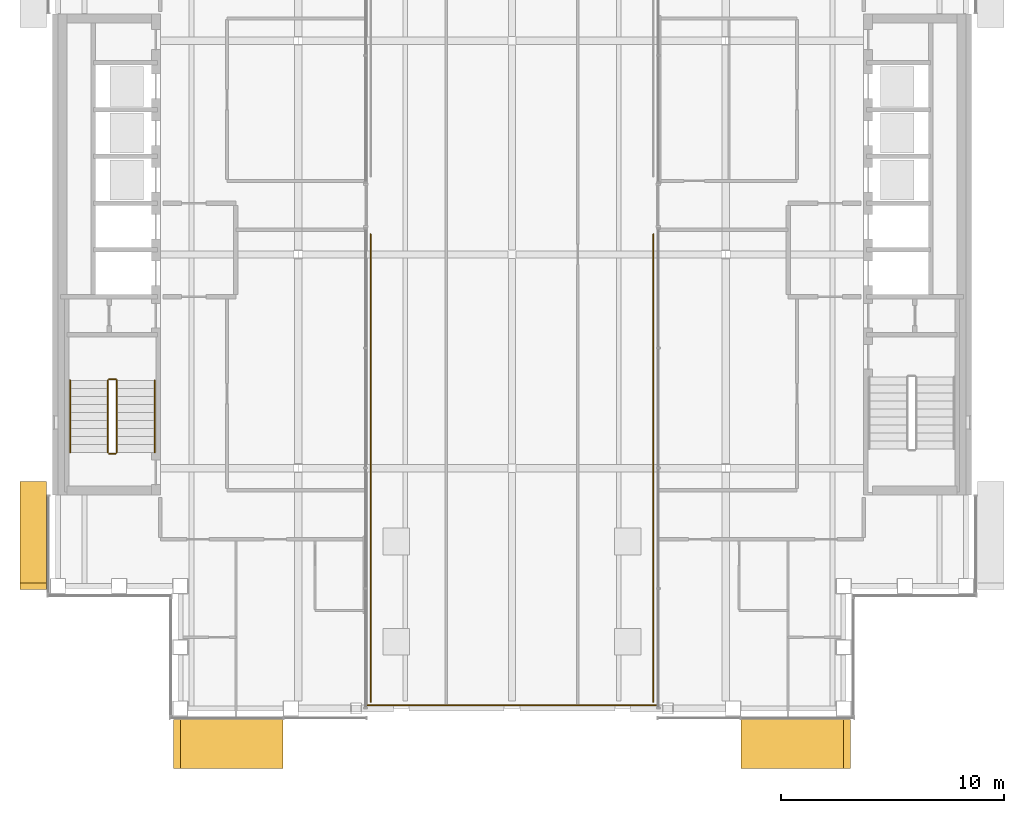
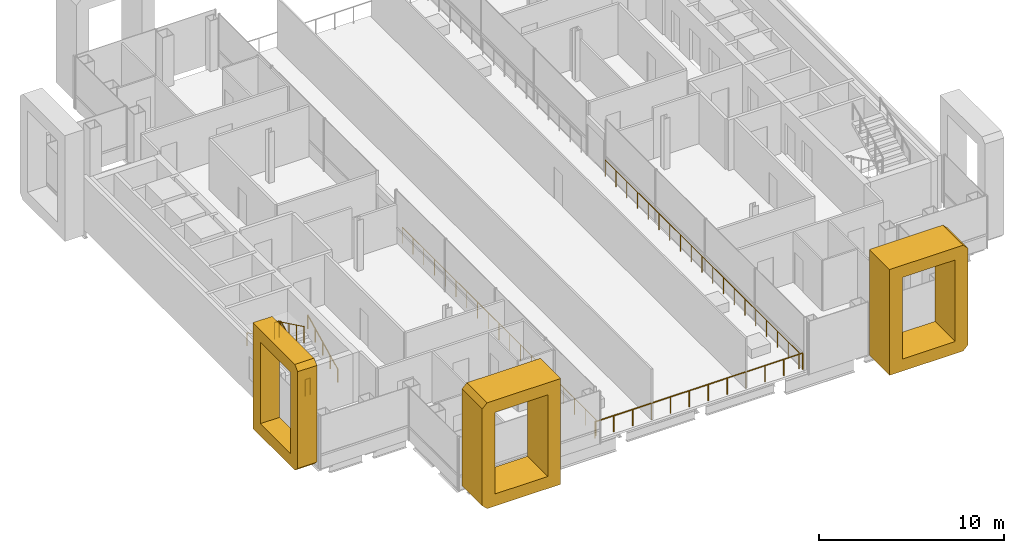
# One storey, part 14 of 17: 9 railings, 3 coverings.
"""IFC4 building model written with IfcOpenShell, lengths in metres."""

from ifc_helpers import new_model, si_unit, direction, frame, origin, origin_2d, place, context, subcontext, project, spatial, polyline, circle, outline, extrude, material, type_object, element, save


model = new_model("IFC4")

# Units and contexts
model_context = context("Model", 3, precision=1e-05, world=origin(), true_north=direction((0.0, 1.0)))
body_context = subcontext(model_context, "Body", "Model", "MODEL_VIEW")
ifc_project = project(units=[si_unit("LENGTHUNIT", "METRE"), si_unit("AREAUNIT", "SQUARE_METRE"), si_unit("VOLUMEUNIT", "CUBIC_METRE"), si_unit("PLANEANGLEUNIT", "RADIAN"), si_unit("MASSUNIT", "GRAM", prefix="KILO")], contexts=[model_context])

# Site, building, storey
site_placement = place(None, origin())
site = spatial("IfcSite", under=ifc_project, at=site_placement, CompositionType="ELEMENT")
building_placement = place(site_placement, origin())
building = spatial("IfcBuilding", under=site, at=building_placement, Name="Cobrizo Arcos Hotel Tower", CompositionType="ELEMENT")
storey_placement = place(building_placement, frame((0.0, 0.0, 219.0)))
storey = spatial("IfcBuildingStorey", under=building, at=storey_placement, Name="L57", CompositionType="ELEMENT", Elevation=219.0)

# Coverings
ifc_material_1 = material(Name="Aluminium 6063-T6 anodised bronze", Category="aluminium")
covering_type_1 = type_object("IfcCoveringType", Name="FIN-F 1200", PredefinedType="CLADDING", material=ifc_material_1)
covering_1_placement = place(storey_placement, frame((-20.89990234375, -10.191650390625, 0.0), z_axis=(-1.0, 0.0, 0.0), x_axis=(0.0, -1.0, 0.0)))
element("IfcCovering", 1, at=covering_1_placement, inside=storey, type_object=covering_type_1, Name="Fin frame 358", PredefinedType="CLADDING", context=body_context, shape_type="SweptSolid", body=[
    extrude(outline(polyline([(0.0, 7.0), (0.0, 0.0), (4.558349609375, 0.0), (4.8583984375, 0.300048828125), (4.8583984375, 6.699951171875), (4.558349609375, 7.0), (0.0, 7.0)]), holes=[polyline([(4.058349609375, 0.800048828125), (0.800048828125, 0.800048828125), (0.800048828125, 6.199951171875), (4.058349609375, 6.199951171875), (4.058349609375, 0.800048828125)])]), origin(), (0.0, 0.0, 1.0), 1.2001953125),
])
covering_type_2 = type_object("IfcCoveringType", Name="FIN-F 2200", PredefinedType="CLADDING", material=ifc_material_1)
covering_2_placement = place(storey_placement, frame((-15.199951171875, -20.89990234375, 0.0), z_axis=(0.0, -1.0, 0.0), x_axis=(1.0, 0.0, 0.0)))
element("IfcCovering", 2, at=covering_2_placement, inside=storey, type_object=covering_type_2, Name="Fin frame 339", PredefinedType="CLADDING", context=body_context, shape_type="SweptSolid", body=[
    extrude(outline(polyline([(0.0, 0.300048828125), (0.300048828125, 0.0), (4.908203125, 0.0), (4.908203125, 7.0), (0.300048828125, 7.0), (0.0, 6.699951171875), (0.0, 0.300048828125)]), holes=[polyline([(4.1083984375, 0.800048828125), (0.800048828125, 0.800048828125), (0.800048828125, 6.199951171875), (4.1083984375, 6.199951171875), (4.1083984375, 0.800048828125)])]), origin(), (0.0, 0.0, 1.0), 2.2001953125),
])
covering_3_placement = place(storey_placement, frame((10.291748046875, -20.89990234375, 0.0), z_axis=(0.0, -1.0, 0.0), x_axis=(1.0, 0.0, 0.0)))
element("IfcCovering", 3, at=covering_3_placement, inside=storey, type_object=covering_type_2, Name="Fin frame 340", PredefinedType="CLADDING", context=body_context, shape_type="SweptSolid", body=[
    extrude(outline(polyline([(0.0, 7.0), (0.0, 0.0), (4.6083984375, 0.0), (4.908203125, 0.300048828125), (4.908203125, 6.699951171875), (4.6083984375, 7.0), (0.0, 7.0)]), holes=[polyline([(4.1083984375, 0.800048828125), (0.800048828125, 0.800048828125), (0.800048828125, 6.199951171875), (4.1083984375, 6.199951171875), (4.1083984375, 0.800048828125)])]), origin(), (0.0, 0.0, 1.0), 2.2001953125),
])

# Railings
ifc_material_2 = material(Name="Stainless steel railing", Category="steel")
railing_type_1 = type_object("IfcRailingType", Name="Garden deck guard 1100", PredefinedType="GUARDRAIL", material=ifc_material_2)
railing_1_placement = place(storey_placement, frame((-6.5, -20.25, 0.0)))
element("IfcRailing", 4, at=railing_1_placement, inside=storey, type_object=railing_type_1, Name="Garden deck south guard", PredefinedType="GUARDRAIL", context=body_context, shape_type="SweptSolid", body=[
    extrude(circle(Radius=0.02392578125, at=origin_2d()), frame((0.0, 0.0, 1.076171875), z_axis=(1.0, 0.0, 0.0), x_axis=(0.0, 1.0, 0.0)), (0.0, 0.0, 1.0), 13.0),
    extrude(circle(Radius=0.02099609375, at=origin_2d()), origin(), (0.0, 0.0, 1.0), 1.052001953125),
    extrude(circle(Radius=0.02099609375, at=origin_2d()), frame((1.181884765625, 0.0, 0.0)), (0.0, 0.0, 1.0), 1.052001953125),
    extrude(circle(Radius=0.02099609375, at=origin_2d()), frame((2.363525390625, 0.0, 0.0)), (0.0, 0.0, 1.0), 1.052001953125),
    extrude(circle(Radius=0.02099609375, at=origin_2d()), frame((3.54541015625, 0.0, 0.0)), (0.0, 0.0, 1.0), 1.052001953125),
    extrude(circle(Radius=0.02099609375, at=origin_2d()), frame((4.727294921875, 0.0, 0.0)), (0.0, 0.0, 1.0), 1.052001953125),
    extrude(circle(Radius=0.02099609375, at=origin_2d()), frame((5.9091796875, 0.0, 0.0)), (0.0, 0.0, 1.0), 1.052001953125),
    extrude(circle(Radius=0.02099609375, at=origin_2d()), frame((7.0908203125, 0.0, 0.0)), (0.0, 0.0, 1.0), 1.052001953125),
    extrude(circle(Radius=0.02099609375, at=origin_2d()), frame((8.272705078125, 0.0, 0.0)), (0.0, 0.0, 1.0), 1.052001953125),
    extrude(circle(Radius=0.02099609375, at=origin_2d()), frame((9.45458984375, 0.0, 0.0)), (0.0, 0.0, 1.0), 1.052001953125),
    extrude(circle(Radius=0.02099609375, at=origin_2d()), frame((10.636474609375, 0.0, 0.0)), (0.0, 0.0, 1.0), 1.052001953125),
    extrude(circle(Radius=0.02099609375, at=origin_2d()), frame((11.818115234375, 0.0, 0.0)), (0.0, 0.0, 1.0), 1.052001953125),
    extrude(circle(Radius=0.02099609375, at=origin_2d()), frame((13.0, 0.0, 0.0)), (0.0, 0.0, 1.0), 1.052001953125),
])
railing_2_placement = place(storey_placement, frame((6.35009765625, -20.10009765625, 0.0)))
element("IfcRailing", 5, at=railing_2_placement, inside=storey, type_object=railing_type_1, Name="Garden deck east guard", PredefinedType="GUARDRAIL", context=body_context, shape_type="SweptSolid", body=[
    extrude(circle(Radius=0.02392578125, at=origin_2d()), frame((0.0, 0.0, 1.076171875), z_axis=(0.0, 1.0, 0.0), x_axis=(-1.0, 0.0, 0.0)), (0.0, 0.0, 1.0), 21.0),
    extrude(circle(Radius=0.02099609375, at=origin_2d()), origin(), (0.0, 0.0, 1.0), 1.052001953125),
    extrude(circle(Radius=0.02099609375, at=origin_2d()), frame((0.0, 1.166748046875, 0.0)), (0.0, 0.0, 1.0), 1.052001953125),
    extrude(circle(Radius=0.02099609375, at=origin_2d()), frame((0.0, 2.333251953125, 0.0)), (0.0, 0.0, 1.0), 1.052001953125),
    extrude(circle(Radius=0.02099609375, at=origin_2d()), frame((0.0, 3.5, 0.0)), (0.0, 0.0, 1.0), 1.052001953125),
    extrude(circle(Radius=0.02099609375, at=origin_2d()), frame((0.0, 4.666748046875, 0.0)), (0.0, 0.0, 1.0), 1.052001953125),
    extrude(circle(Radius=0.02099609375, at=origin_2d()), frame((0.0, 5.833251953125, 0.0)), (0.0, 0.0, 1.0), 1.052001953125),
    extrude(circle(Radius=0.02099609375, at=origin_2d()), frame((0.0, 7.0, 0.0)), (0.0, 0.0, 1.0), 1.052001953125),
    extrude(circle(Radius=0.02099609375, at=origin_2d()), frame((0.0, 8.166748046875, 0.0)), (0.0, 0.0, 1.0), 1.052001953125),
    extrude(circle(Radius=0.02099609375, at=origin_2d()), frame((0.0, 9.333251953125, 0.0)), (0.0, 0.0, 1.0), 1.052001953125),
    extrude(circle(Radius=0.02099609375, at=origin_2d()), frame((0.0, 10.5, 0.0)), (0.0, 0.0, 1.0), 1.052001953125),
    extrude(circle(Radius=0.02099609375, at=origin_2d()), frame((0.0, 11.666748046875, 0.0)), (0.0, 0.0, 1.0), 1.052001953125),
    extrude(circle(Radius=0.02099609375, at=origin_2d()), frame((0.0, 12.833251953125, 0.0)), (0.0, 0.0, 1.0), 1.052001953125),
    extrude(circle(Radius=0.02099609375, at=origin_2d()), frame((0.0, 14.0, 0.0)), (0.0, 0.0, 1.0), 1.052001953125),
    extrude(circle(Radius=0.02099609375, at=origin_2d()), frame((0.0, 15.166748046875, 0.0)), (0.0, 0.0, 1.0), 1.052001953125),
    extrude(circle(Radius=0.02099609375, at=origin_2d()), frame((0.0, 16.333251953125, 0.0)), (0.0, 0.0, 1.0), 1.052001953125),
    extrude(circle(Radius=0.02099609375, at=origin_2d()), frame((0.0, 17.5, 0.0)), (0.0, 0.0, 1.0), 1.052001953125),
    extrude(circle(Radius=0.02099609375, at=origin_2d()), frame((0.0, 18.666748046875, 0.0)), (0.0, 0.0, 1.0), 1.052001953125),
    extrude(circle(Radius=0.02099609375, at=origin_2d()), frame((0.0, 19.833251953125, 0.0)), (0.0, 0.0, 1.0), 1.052001953125),
    extrude(circle(Radius=0.02099609375, at=origin_2d()), frame((0.0, 21.0, 0.0)), (0.0, 0.0, 1.0), 1.052001953125),
])
railing_3_placement = place(storey_placement, frame((-6.35009765625, -20.10009765625, 0.0)))
element("IfcRailing", 6, at=railing_3_placement, inside=storey, type_object=railing_type_1, Name="Garden deck west guard", PredefinedType="GUARDRAIL", context=body_context, shape_type="SweptSolid", body=[
    extrude(circle(Radius=0.02392578125, at=origin_2d()), frame((0.0, 0.0, 1.076171875), z_axis=(0.0, 1.0, 0.0), x_axis=(-1.0, 0.0, 0.0)), (0.0, 0.0, 1.0), 21.0),
    extrude(circle(Radius=0.02099609375, at=origin_2d()), origin(), (0.0, 0.0, 1.0), 1.052001953125),
    extrude(circle(Radius=0.02099609375, at=origin_2d()), frame((0.0, 1.166748046875, 0.0)), (0.0, 0.0, 1.0), 1.052001953125),
    extrude(circle(Radius=0.02099609375, at=origin_2d()), frame((0.0, 2.333251953125, 0.0)), (0.0, 0.0, 1.0), 1.052001953125),
    extrude(circle(Radius=0.02099609375, at=origin_2d()), frame((0.0, 3.5, 0.0)), (0.0, 0.0, 1.0), 1.052001953125),
    extrude(circle(Radius=0.02099609375, at=origin_2d()), frame((0.0, 4.666748046875, 0.0)), (0.0, 0.0, 1.0), 1.052001953125),
    extrude(circle(Radius=0.02099609375, at=origin_2d()), frame((0.0, 5.833251953125, 0.0)), (0.0, 0.0, 1.0), 1.052001953125),
    extrude(circle(Radius=0.02099609375, at=origin_2d()), frame((0.0, 7.0, 0.0)), (0.0, 0.0, 1.0), 1.052001953125),
    extrude(circle(Radius=0.02099609375, at=origin_2d()), frame((0.0, 8.166748046875, 0.0)), (0.0, 0.0, 1.0), 1.052001953125),
    extrude(circle(Radius=0.02099609375, at=origin_2d()), frame((0.0, 9.333251953125, 0.0)), (0.0, 0.0, 1.0), 1.052001953125),
    extrude(circle(Radius=0.02099609375, at=origin_2d()), frame((0.0, 10.5, 0.0)), (0.0, 0.0, 1.0), 1.052001953125),
    extrude(circle(Radius=0.02099609375, at=origin_2d()), frame((0.0, 11.666748046875, 0.0)), (0.0, 0.0, 1.0), 1.052001953125),
    extrude(circle(Radius=0.02099609375, at=origin_2d()), frame((0.0, 12.833251953125, 0.0)), (0.0, 0.0, 1.0), 1.052001953125),
    extrude(circle(Radius=0.02099609375, at=origin_2d()), frame((0.0, 14.0, 0.0)), (0.0, 0.0, 1.0), 1.052001953125),
    extrude(circle(Radius=0.02099609375, at=origin_2d()), frame((0.0, 15.166748046875, 0.0)), (0.0, 0.0, 1.0), 1.052001953125),
    extrude(circle(Radius=0.02099609375, at=origin_2d()), frame((0.0, 16.333251953125, 0.0)), (0.0, 0.0, 1.0), 1.052001953125),
    extrude(circle(Radius=0.02099609375, at=origin_2d()), frame((0.0, 17.5, 0.0)), (0.0, 0.0, 1.0), 1.052001953125),
    extrude(circle(Radius=0.02099609375, at=origin_2d()), frame((0.0, 18.666748046875, 0.0)), (0.0, 0.0, 1.0), 1.052001953125),
    extrude(circle(Radius=0.02099609375, at=origin_2d()), frame((0.0, 19.833251953125, 0.0)), (0.0, 0.0, 1.0), 1.052001953125),
    extrude(circle(Radius=0.02099609375, at=origin_2d()), frame((0.0, 21.0, 0.0)), (0.0, 0.0, 1.0), 1.052001953125),
])
railing_type_2 = type_object("IfcRailingType", Name="Stair guard 1100", PredefinedType="GUARDRAIL", material=ifc_material_2)
railing_4_placement = place(storey_placement, frame((-17.75, -8.89990234375, 0.175048828125)))
element("IfcRailing", 7, at=railing_4_placement, inside=storey, type_object=railing_type_2, Name="L57 ST-W stair guard 1", PredefinedType="GUARDRAIL", context=body_context, shape_type="SweptSolid", body=[
    extrude(circle(Radius=0.02392578125, at=origin_2d()), frame((0.0, 0.0, 1.076171875), z_axis=(0.0, 0.899372665325, 0.437182809435), x_axis=(-1.0, 0.0, 0.0)), (0.0, 0.0, 1.0), 3.6025390625),
    extrude(circle(Radius=0.02099609375, at=origin_2d()), origin(), (0.0, 0.0, 1.0), 1.052001953125),
    extrude(circle(Radius=0.02099609375, at=origin_2d()), frame((0.0, 0.81005859375, 0.393798828125)), (0.0, 0.0, 1.0), 1.052001953125),
    extrude(circle(Radius=0.02099609375, at=origin_2d()), frame((0.0, 1.6201171875, 0.78759765625)), (0.0, 0.0, 1.0), 1.052001953125),
    extrude(circle(Radius=0.02099609375, at=origin_2d()), frame((0.0, 2.429931640625, 1.18115234375)), (0.0, 0.0, 1.0), 1.052001953125),
    extrude(circle(Radius=0.02099609375, at=origin_2d()), frame((0.0, 3.239990234375, 1.574951171875)), (0.0, 0.0, 1.0), 1.052001953125),
])
railing_5_placement = place(storey_placement, frame((-17.800048828125, -5.610107421875, 1.75)))
element("IfcRailing", 8, at=railing_5_placement, inside=storey, type_object=railing_type_2, Name="L57 ST-W stair guard 2", PredefinedType="GUARDRAIL", context=body_context, shape_type="SweptSolid", body=[
    extrude(circle(Radius=0.02392578125, at=origin_2d()), frame((0.0, 0.0, 1.076171875), z_axis=(-1.0, 0.0, 0.0), x_axis=(0.0, -1.0, 0.0)), (0.0, 0.0, 1.0), 0.300048828125),
    extrude(circle(Radius=0.02099609375, at=origin_2d()), origin(), (0.0, 0.0, 1.0), 1.052001953125),
    extrude(circle(Radius=0.02099609375, at=origin_2d()), frame((-0.300048828125, 0.0, 0.0)), (0.0, 0.0, 1.0), 1.052001953125),
])
railing_6_placement = place(storey_placement, frame((-18.14990234375, -5.659912109375, 1.925048828125)))
element("IfcRailing", 9, at=railing_6_placement, inside=storey, type_object=railing_type_2, Name="L57 ST-W stair guard 3", PredefinedType="GUARDRAIL", context=body_context, shape_type="SweptSolid", body=[
    extrude(circle(Radius=0.02392578125, at=origin_2d()), frame((0.0, 0.0, 1.076171875), z_axis=(0.0, -0.899372665325, 0.437182809435), x_axis=(1.0, 0.0, 0.0)), (0.0, 0.0, 1.0), 3.6025390625),
    extrude(circle(Radius=0.02099609375, at=origin_2d()), origin(), (0.0, 0.0, 1.0), 1.052001953125),
    extrude(circle(Radius=0.02099609375, at=origin_2d()), frame((0.0, -0.81005859375, 0.393798828125)), (0.0, 0.0, 1.0), 1.052001953125),
    extrude(circle(Radius=0.02099609375, at=origin_2d()), frame((0.0, -1.6201171875, 0.78759765625)), (0.0, 0.0, 1.0), 1.052001953125),
    extrude(circle(Radius=0.02099609375, at=origin_2d()), frame((0.0, -2.429931640625, 1.18115234375)), (0.0, 0.0, 1.0), 1.052001953125),
    extrude(circle(Radius=0.02099609375, at=origin_2d()), frame((0.0, -3.239990234375, 1.574951171875)), (0.0, 0.0, 1.0), 1.052001953125),
])
railing_7_placement = place(storey_placement, frame((-17.800048828125, -8.949951171875, 0.0)))
element("IfcRailing", 10, at=railing_7_placement, inside=storey, type_object=railing_type_2, Name="L57 ST-W stair guard 4", PredefinedType="GUARDRAIL", context=body_context, shape_type="SweptSolid", body=[
    extrude(circle(Radius=0.02392578125, at=origin_2d()), frame((0.0, 0.0, 1.076171875), z_axis=(-1.0, 0.0, 0.0), x_axis=(0.0, -1.0, 0.0)), (0.0, 0.0, 1.0), 0.300048828125),
    extrude(circle(Radius=0.02099609375, at=origin_2d()), origin(), (0.0, 0.0, 1.0), 1.052001953125),
    extrude(circle(Radius=0.02099609375, at=origin_2d()), frame((-0.300048828125, 0.0, 0.0)), (0.0, 0.0, 1.0), 1.052001953125),
])
railing_type_3 = type_object("IfcRailingType", Name="Stair handrail", PredefinedType="HANDRAIL", material=ifc_material_2)
railing_8_placement = place(storey_placement, frame((-16.050048828125, -8.89990234375, 0.175048828125)))
element("IfcRailing", 11, at=railing_8_placement, inside=storey, type_object=railing_type_3, Name="L57 ST-W stair handrail 1", PredefinedType="HANDRAIL", context=body_context, shape_type="SweptSolid", body=[
    extrude(circle(Radius=0.02392578125, at=origin_2d()), frame((0.0, 0.0, 0.8759765625), z_axis=(0.0, 0.899372665325, 0.437182809435), x_axis=(-1.0, 0.0, 0.0)), (0.0, 0.0, 1.0), 3.6025390625),
    extrude(circle(Radius=0.02099609375, at=origin_2d()), origin(), (0.0, 0.0, 1.0), 0.851806640625),
    extrude(circle(Radius=0.02099609375, at=origin_2d()), frame((0.0, 0.81005859375, 0.393798828125)), (0.0, 0.0, 1.0), 0.851806640625),
    extrude(circle(Radius=0.02099609375, at=origin_2d()), frame((0.0, 1.6201171875, 0.78759765625)), (0.0, 0.0, 1.0), 0.851806640625),
    extrude(circle(Radius=0.02099609375, at=origin_2d()), frame((0.0, 2.429931640625, 1.18115234375)), (0.0, 0.0, 1.0), 0.851806640625),
    extrude(circle(Radius=0.02099609375, at=origin_2d()), frame((0.0, 3.239990234375, 1.574951171875)), (0.0, 0.0, 1.0), 0.851806640625),
])
railing_9_placement = place(storey_placement, frame((-19.85009765625, -5.659912109375, 1.925048828125)))
element("IfcRailing", 12, at=railing_9_placement, inside=storey, type_object=railing_type_3, Name="L57 ST-W stair handrail 2", PredefinedType="HANDRAIL", context=body_context, shape_type="SweptSolid", body=[
    extrude(circle(Radius=0.02392578125, at=origin_2d()), frame((0.0, 0.0, 0.8759765625), z_axis=(0.0, -0.899372665325, 0.437182809435), x_axis=(1.0, 0.0, 0.0)), (0.0, 0.0, 1.0), 3.6025390625),
    extrude(circle(Radius=0.02099609375, at=origin_2d()), origin(), (0.0, 0.0, 1.0), 0.851806640625),
    extrude(circle(Radius=0.02099609375, at=origin_2d()), frame((0.0, -0.81005859375, 0.393798828125)), (0.0, 0.0, 1.0), 0.851806640625),
    extrude(circle(Radius=0.02099609375, at=origin_2d()), frame((0.0, -1.6201171875, 0.78759765625)), (0.0, 0.0, 1.0), 0.851806640625),
    extrude(circle(Radius=0.02099609375, at=origin_2d()), frame((0.0, -2.429931640625, 1.18115234375)), (0.0, 0.0, 1.0), 0.851806640625),
    extrude(circle(Radius=0.02099609375, at=origin_2d()), frame((0.0, -3.239990234375, 1.574951171875)), (0.0, 0.0, 1.0), 0.851806640625),
])

save(model, "model.ifc")
